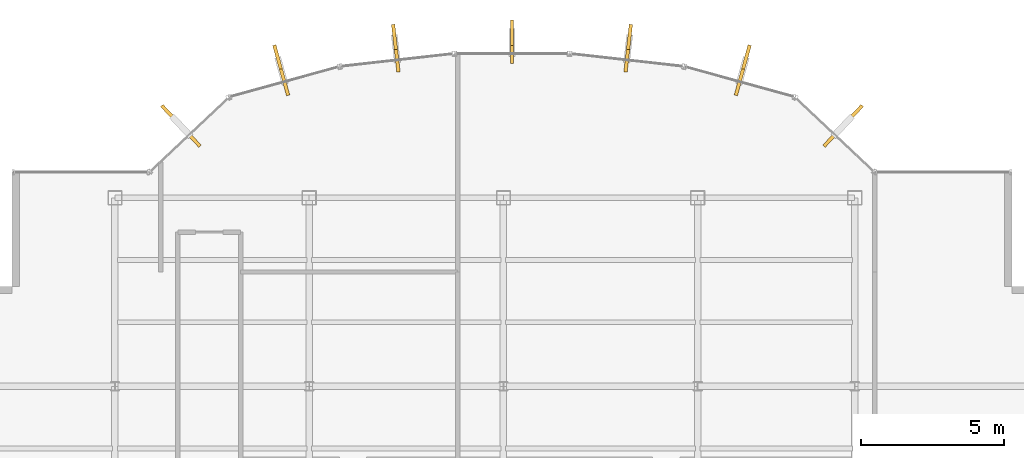
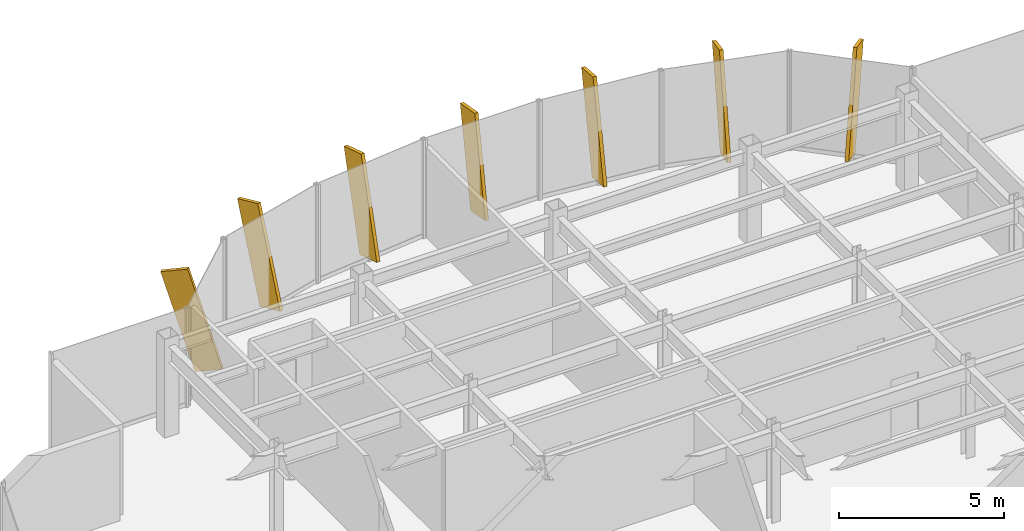
# One storey, part 21 of 22: 7 shading devices.
"""IFC4 building model written with IfcOpenShell, lengths in metres."""

from ifc_helpers import new_model, si_unit, derived_unit, direction, frame, origin, origin_2d, place, context, subcontext, project, spatial, rectangle, extrude, source, transform, mapped, material, type_object, element, save


model = new_model("IFC4")

# Units and contexts
model_context = context("Model", 3, precision=1e-05, world=origin(), true_north=direction((0.0, 1.0)))
body_context = subcontext(model_context, "Body", "Model", "MODEL_VIEW")
ifc_project = project(units=[si_unit("LENGTHUNIT", "METRE"), si_unit("AREAUNIT", "SQUARE_METRE"), si_unit("VOLUMEUNIT", "CUBIC_METRE"), si_unit("PLANEANGLEUNIT", "RADIAN"), si_unit("MASSUNIT", "GRAM", prefix="KILO"), derived_unit("THERMALTRANSMITTANCEUNIT", [(si_unit("POWERUNIT", "WATT"), 1), (si_unit("LENGTHUNIT", "METRE"), -2), (si_unit("THERMODYNAMICTEMPERATUREUNIT", "KELVIN"), -1)])], contexts=[model_context])

# Site, building, storey
site_placement = place(None, origin())
site = spatial("IfcSite", under=ifc_project, at=site_placement, CompositionType="ELEMENT")
building_placement = place(site_placement, origin())
building = spatial("IfcBuilding", under=site, at=building_placement, Name="Skarnbrae Concourse Arena and Tower", CompositionType="ELEMENT")
storey_placement = place(building_placement, frame((0.0, 0.0, 232.39990234375)))
storey = spatial("IfcBuildingStorey", under=building, at=storey_placement, Name="L60", CompositionType="ELEMENT", Elevation=232.39990234375)

# Shading devices
ifc_material = material(Name="Bronze anodised aluminium 6063-T6", Category="aluminium")
shading_device_type = type_object("IfcShadingDeviceType", Name="SHD-BRONZE-FIN-900", PredefinedType="USERDEFINED", material=ifc_material)
shared_shape = source(origin(), body_context, "Body", "SweptSolid", [
    extrude(rectangle(XDim=0.1201171875, YDim=0.89990234375, at=origin_2d()), origin(), (0.0, 0.0, 1.0), 3.64990234375),
])
for number, where, z_axis, x_axis, name in (
    (1, (32.719482421875, 36.522705078125, 0.083251953125), (0.204517004551, 0.217255972062, 0.954448865814), (0.728131751529, -0.685437198009, 0.0), "L60 Outward-leaning bronze shading fin 08"),
    (2, (29.452392578125, 38.40576171875, 0.06396484375), (0.069616483156, 0.252603280643, 0.965062240418), (0.964058316208, -0.265690728011, 0.0), "L60 Outward-leaning bronze shading fin 09"),
    (3, (25.52392578125, 39.2431640625, 0.04443359375), (0.024350376121, 0.217122703093, 0.975840556128), (0.993769864509, -0.111451587667, 0.0), "L60 Outward-leaning bronze shading fin 10"),
    (4, (21.5, 39.5498046875, 0.028076171875), (0.0, 0.173648177667, 0.984807753012), (1.0, 0.0, 0.0), "L60 Outward-leaning bronze shading fin 11"),
    (5, (17.47607421875, 39.2431640625, 0.04443359375), (-0.024350376121, 0.217122703093, 0.975840556128), (0.993769864509, 0.111451587667, 0.0), "L60 Outward-leaning bronze shading fin 12"),
    (6, (13.547607421875, 38.40576171875, 0.06396484375), (-0.069616483156, 0.252603280643, 0.965062240418), (0.964058316208, 0.265690728011, 0.0), "L60 Outward-leaning bronze shading fin 13"),
    (7, (10.280517578125, 36.522705078125, 0.083251953125), (-0.204517004551, 0.217255972062, 0.954448865814), (0.728131751529, 0.685437198009, 0.0), "L60 Outward-leaning bronze shading fin 14"),
):
    element("IfcShadingDevice", number, at=place(storey_placement, frame(where, z_axis=z_axis, x_axis=x_axis)), inside=storey, type_object=shading_device_type, Name=name, ObjectType="FIN", PredefinedType="USERDEFINED", context=body_context, shape_type="MappedRepresentation", body=[
        mapped(shared_shape, transform((0.0, 0.0, 0.0))),
    ])

save(model, "model.ifc")
